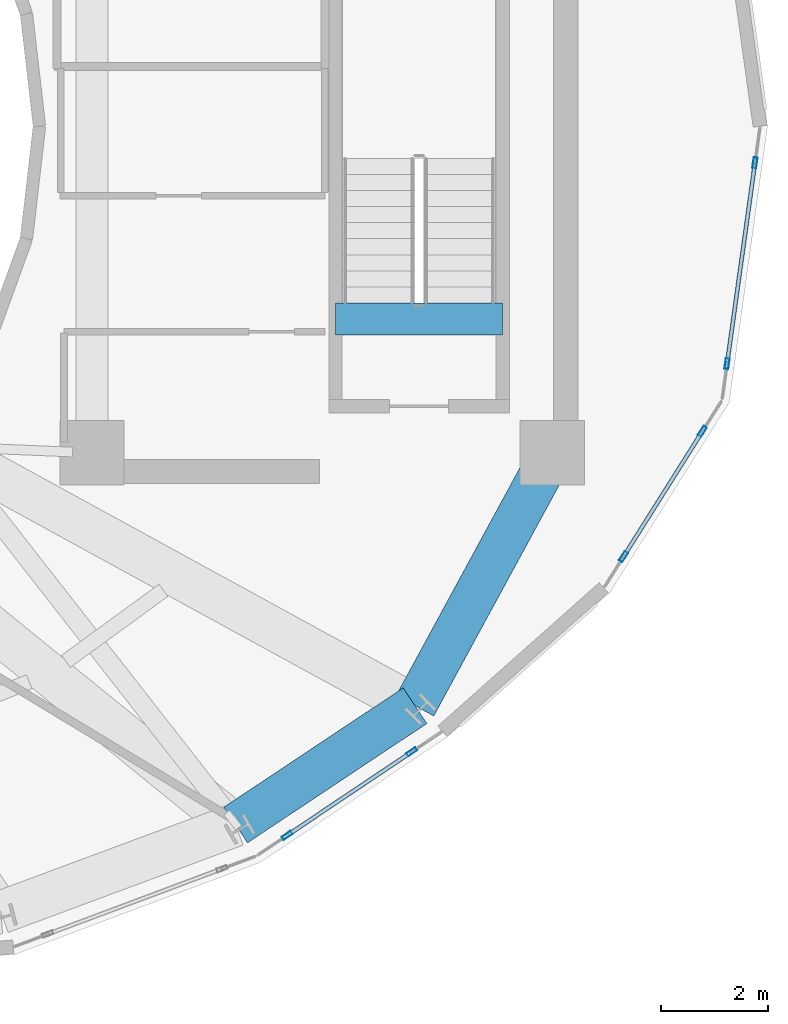
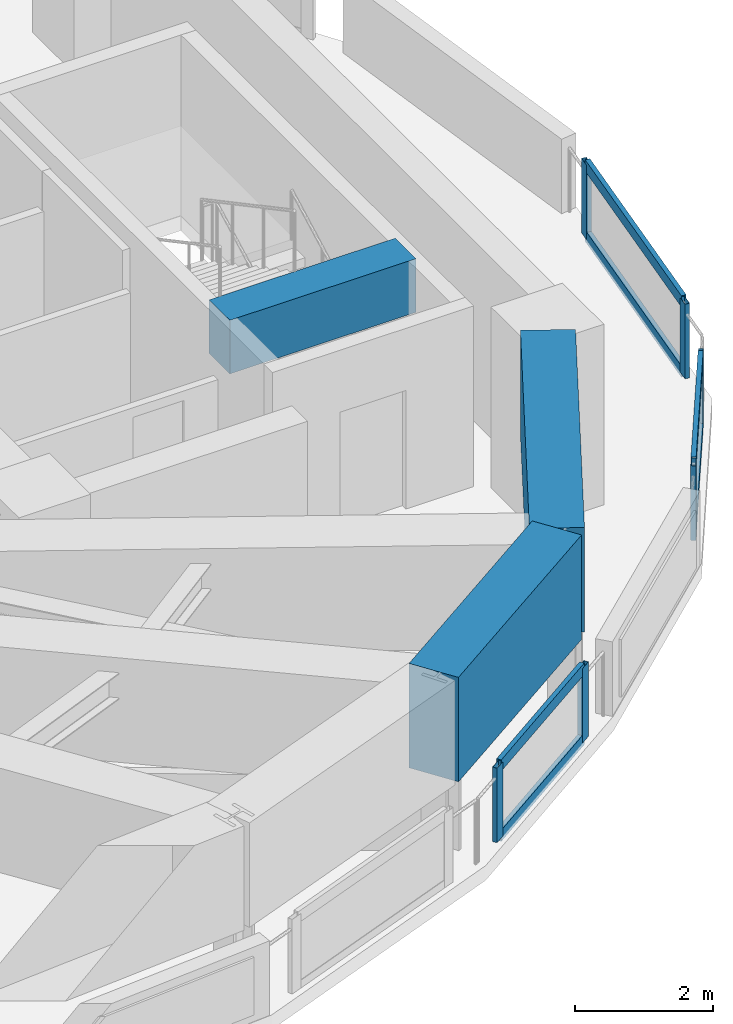
# One storey, part 11 of 18: 12 members, 3 beams, 3 elements without a shape of their own.
"""IFC4 building model written with IfcOpenShell, lengths in metres."""

from ifc_helpers import new_model, si_unit, direction, frame, origin, origin_2d, place, context, subcontext, project, spatial, rectangle, hollow_rectangle, extrude, material, layer, layer_set, material_profile, profile_set, type_object, element, aggregate, save


model = new_model("IFC4")

# Units and contexts
model_context = context("Model", 3, precision=1e-05, world=origin(), true_north=direction((0.0, 1.0)))
body_context = subcontext(model_context, "Body", "Model", "MODEL_VIEW")
ifc_project = project(units=[si_unit("LENGTHUNIT", "METRE"), si_unit("AREAUNIT", "SQUARE_METRE"), si_unit("VOLUMEUNIT", "CUBIC_METRE"), si_unit("PLANEANGLEUNIT", "RADIAN"), si_unit("MASSUNIT", "GRAM", prefix="KILO")], contexts=[model_context])

# Site, building, storey
site_placement = place(None, origin())
site = spatial("IfcSite", under=ifc_project, at=site_placement, CompositionType="ELEMENT")
building_placement = place(site_placement, origin())
building = spatial("IfcBuilding", under=site, at=building_placement, Name="Solvane Sanctuary Tower", CompositionType="ELEMENT")
storey_placement = place(building_placement, frame((0.0, 0.0, 266.800048828125)))
storey = spatial("IfcBuildingStorey", under=building, at=storey_placement, Name="L81", CompositionType="ELEMENT", Elevation=266.800048828125)

# Beams
ifc_material_1 = material(Name="Concrete C70/85", Category="concrete")
ifc_material_profile_1 = material_profile(ifc_material_1, rectangle(XDim=0.60009765625, YDim=0.949951171875, at=origin_2d()), Name="RC600X950")
ifc_profile_set_1 = profile_set([ifc_material_profile_1], Name="Concrete C70/85")
beam_type_1 = type_object("IfcBeamType", Name="Beam B-COUPLE RC600X950", PredefinedType="LINTEL", material=ifc_profile_set_1)
beam_1_placement = place(storey_placement, frame((44.64990234375, 19.399169921875, 2.724853515625), z_axis=(1.0, 0.0, 0.0), x_axis=(0.0, 1.0, 0.0)))
element("IfcBeam", 1, at=beam_1_placement, inside=storey, type_object=beam_type_1, Name="L81 ST-2 Stair Floor Landing Trimmer", PredefinedType="LINTEL", context=body_context, shape_type="SweptSolid", body=[
    extrude(rectangle(XDim=0.60009765625, YDim=0.949951171875, at=origin_2d()), origin(), (0.0, 0.0, 1.0), 3.1201171875),
])
ifc_material_profile_2 = material_profile(ifc_material_1, rectangle(XDim=0.800048828125, YDim=1.85009765625, at=origin_2d()), Name="RC800X1850")
ifc_profile_set_2 = profile_set([ifc_material_profile_2], Name="Concrete C70/85")
beam_type_2 = type_object("IfcBeamType", Name="Beam B-XFER-BLK RC800X1850", PredefinedType="BEAM", material=ifc_profile_set_2)
beam_2_placement = place(storey_placement, frame((42.7841796875, 9.948974609375, 2.27490234375), z_axis=(0.832637946712, 0.55381770439, 0.0), x_axis=(-0.55381770439, 0.832637946712, 0.0)))
element("IfcBeam", 2, at=beam_2_placement, inside=storey, type_object=beam_type_2, Name="L81 Perimeter Step Transfer Ring NTC13-NTC14", PredefinedType="BEAM", context=body_context, shape_type="SweptSolid", body=[
    extrude(rectangle(XDim=0.800048828125, YDim=1.85009765625, at=origin_2d()), origin(), (0.0, 0.0, 1.0), 4.0234375),
])
beam_3_placement = place(storey_placement, frame((46.13427734375, 12.17724609375, 2.27490234375), z_axis=(0.477353990343, 0.878711083294, 0.0), x_axis=(-0.878711083294, 0.477353990343, 0.0)))
element("IfcBeam", 3, at=beam_3_placement, inside=storey, type_object=beam_type_2, Name="L81 Perimeter Step Transfer Ring NTC14-CE2", PredefinedType="BEAM", context=body_context, shape_type="SweptSolid", body=[
    extrude(rectangle(XDim=0.800048828125, YDim=1.85009765625, at=origin_2d()), origin(), (0.0, 0.0, 1.0), 5.0146484375),
])

# Curtain wall, members
ifc_material_2 = material(Name="Anodised Aluminium 6063-T6", Category="aluminium")
ifc_layer = layer(ifc_material_2, 0.219970703125, Name="Anodised Aluminium 6063-T6")
ifc_layer_set = layer_set([ifc_layer], Name="Anodised Aluminium 6063-T6")
curtain_wall_type = type_object("IfcCurtainWallType", Name="Curtain Wall CW-CROWN", PredefinedType="NOTDEFINED", material=ifc_layer_set)
curtain_wall_1_placement = place(storey_placement, origin())
curtain_wall_1 = element("IfcCurtainWall", 4, at=curtain_wall_1_placement, inside=storey, type_object=curtain_wall_type, Name="L81 Crown Fritted Lantern Curtain Wall 20", PredefinedType="NOTDEFINED")
ifc_material_profile_3 = material_profile(ifc_material_2, hollow_rectangle(XDim=0.074951171875, YDim=0.199951171875, WallThickness=0.00390625, at=origin_2d()), Name="ALU200X75X4")
ifc_profile_set_3 = profile_set([ifc_material_profile_3], Name="Anodised Aluminium 6063-T6")
member_type_1 = type_object("IfcMemberType", Name="Member M-CW-MUL-1 ALU200X75X4", PredefinedType="MULLION", material=ifc_profile_set_3)
member_1_placement = place(storey_placement, frame((43.746337890625, 9.755859375, 0.0), z_axis=(0.0, 0.0, 1.0), x_axis=(-0.556718484375, 0.830701227371, 0.0)))
member_1 = element("IfcMember", 5, at=member_1_placement, type_object=member_type_1, Name="CW-CROWN mullion 1", PredefinedType="MULLION", context=body_context, shape_type="SweptSolid", body=[
    extrude(hollow_rectangle(XDim=0.074951171875, YDim=0.199951171875, WallThickness=0.00390625, at=origin_2d()), origin(), (0.0, 0.0, 1.0), 1.320068359375),
])
member_2_placement = place(storey_placement, frame((46.075439453125, 11.31689453125, 0.0), z_axis=(0.0, 0.0, 1.0), x_axis=(-0.556718484375, 0.830701227371, 0.0)))
member_2 = element("IfcMember", 6, at=member_2_placement, type_object=member_type_1, Name="CW-CROWN mullion 2", PredefinedType="MULLION", context=body_context, shape_type="SweptSolid", body=[
    extrude(hollow_rectangle(XDim=0.074951171875, YDim=0.199951171875, WallThickness=0.00390625, at=origin_2d()), origin(), (0.0, 0.0, 1.0), 1.320068359375),
])

curtain_wall_2_placement = place(storey_placement, origin())
curtain_wall_2 = element("IfcCurtainWall", 7, at=curtain_wall_2_placement, inside=storey, type_object=curtain_wall_type, Name="L81 Crown Fritted Lantern Curtain Wall 22", PredefinedType="NOTDEFINED")
member_3_placement = place(storey_placement, frame((50.028564453125, 14.9599609375, 0.0), z_axis=(0.0, 0.0, 1.0), x_axis=(-0.846332102963, 0.532655584308, 0.0)))
member_3 = element("IfcMember", 8, at=member_3_placement, type_object=member_type_1, Name="CW-CROWN mullion 1", PredefinedType="MULLION", context=body_context, shape_type="SweptSolid", body=[
    extrude(hollow_rectangle(XDim=0.074951171875, YDim=0.199951171875, WallThickness=0.00390625, at=origin_2d()), origin(), (0.0, 0.0, 1.0), 1.320068359375),
])
member_4_placement = place(storey_placement, frame((51.502685546875, 17.302490234375, 0.0), z_axis=(0.0, 0.0, 1.0), x_axis=(-0.846332102963, 0.532655584308, 0.0)))
member_4 = element("IfcMember", 9, at=member_4_placement, type_object=member_type_1, Name="CW-CROWN mullion 2", PredefinedType="MULLION", context=body_context, shape_type="SweptSolid", body=[
    extrude(hollow_rectangle(XDim=0.074951171875, YDim=0.199951171875, WallThickness=0.00390625, at=origin_2d()), origin(), (0.0, 0.0, 1.0), 1.320068359375),
])

curtain_wall_3_placement = place(storey_placement, origin())
curtain_wall_3 = element("IfcCurtainWall", 10, at=curtain_wall_3_placement, inside=storey, type_object=curtain_wall_type, Name="L81 Crown Fritted Lantern Curtain Wall 23", PredefinedType="NOTDEFINED")
member_5_placement = place(storey_placement, frame((51.963623046875, 18.565185546875, 0.0), z_axis=(0.0, 0.0, 1.0), x_axis=(-0.990477479591, 0.137674843105, 0.0)))
member_5 = element("IfcMember", 11, at=member_5_placement, type_object=member_type_1, Name="CW-CROWN mullion 1", PredefinedType="MULLION", context=body_context, shape_type="SweptSolid", body=[
    extrude(hollow_rectangle(XDim=0.074951171875, YDim=0.199951171875, WallThickness=0.00390625, at=origin_2d()), origin(), (0.0, 0.0, 1.0), 1.320068359375),
])
member_6_placement = place(storey_placement, frame((52.4853515625, 22.319091796875, 0.0), z_axis=(0.0, 0.0, 1.0), x_axis=(-0.990477479591, 0.137674843105, 0.0)))
member_6 = element("IfcMember", 12, at=member_6_placement, type_object=member_type_1, Name="CW-CROWN mullion 2", PredefinedType="MULLION", context=body_context, shape_type="SweptSolid", body=[
    extrude(hollow_rectangle(XDim=0.074951171875, YDim=0.199951171875, WallThickness=0.00390625, at=origin_2d()), origin(), (0.0, 0.0, 1.0), 1.320068359375),
])

# Member
ifc_material_profile_4 = material_profile(ifc_material_2, hollow_rectangle(XDim=0.074951171875, YDim=0.199951171875, WallThickness=0.00390625, at=origin_2d()), Name="ALU200X75X4")
ifc_profile_set_4 = profile_set([ifc_material_profile_4], Name="Anodised Aluminium 6063-T6")
member_type_2 = type_object("IfcMemberType", Name="Member M-CW-TRN-2 ALU200X75X4", PredefinedType="USERDEFINED", material=ifc_profile_set_4)
member_7_placement = place(storey_placement, frame((43.77734375, 9.77685546875, 0.037353515625), z_axis=(0.830712886533, 0.556701086894, 0.0), x_axis=(-0.556701086894, 0.830712886533, 0.0)))
member_7 = element("IfcMember", 13, at=member_7_placement, type_object=member_type_2, Name="CW-CROWN transom 1.1", ObjectType="TRANSOM", PredefinedType="USERDEFINED", context=body_context, shape_type="SweptSolid", body=[
    extrude(hollow_rectangle(XDim=0.074951171875, YDim=0.199951171875, WallThickness=0.00390625, at=origin_2d()), origin(), (0.0, 0.0, 1.0), 2.72900390625),
])

member_8_placement = place(storey_placement, frame((43.77734375, 9.77685546875, 1.282470703125), z_axis=(0.830712886533, 0.556701086894, 0.0), x_axis=(-0.556701086894, 0.830712886533, 0.0)))
member_8 = element("IfcMember", 14, at=member_8_placement, type_object=member_type_2, Name="CW-CROWN transom 1.2", ObjectType="TRANSOM", PredefinedType="USERDEFINED", context=body_context, shape_type="SweptSolid", body=[
    extrude(hollow_rectangle(XDim=0.074951171875, YDim=0.199951171875, WallThickness=0.00390625, at=origin_2d()), origin(), (0.0, 0.0, 1.0), 2.72900390625),
])

aggregate(curtain_wall_1, [member_1, member_2, member_7, member_8])

member_9_placement = place(storey_placement, frame((50.04833984375, 14.99169921875, 0.037353515625), z_axis=(0.532644935954, 0.846338804618, 0.0), x_axis=(-0.846338804618, 0.532644935954, 0.0)))
member_9 = element("IfcMember", 15, at=member_9_placement, type_object=member_type_2, Name="CW-CROWN transom 1.1", ObjectType="TRANSOM", PredefinedType="USERDEFINED", context=body_context, shape_type="SweptSolid", body=[
    extrude(hollow_rectangle(XDim=0.074951171875, YDim=0.199951171875, WallThickness=0.00390625, at=origin_2d()), origin(), (0.0, 0.0, 1.0), 2.69287109375),
])

member_10_placement = place(storey_placement, frame((50.04833984375, 14.99169921875, 1.282470703125), z_axis=(0.532644935954, 0.846338804618, 0.0), x_axis=(-0.846338804618, 0.532644935954, 0.0)))
member_10 = element("IfcMember", 16, at=member_10_placement, type_object=member_type_2, Name="CW-CROWN transom 1.2", ObjectType="TRANSOM", PredefinedType="USERDEFINED", context=body_context, shape_type="SweptSolid", body=[
    extrude(hollow_rectangle(XDim=0.074951171875, YDim=0.199951171875, WallThickness=0.00390625, at=origin_2d()), origin(), (0.0, 0.0, 1.0), 2.69287109375),
])

aggregate(curtain_wall_2, [member_3, member_4, member_9, member_10])

member_11_placement = place(storey_placement, frame((51.96875, 18.602294921875, 0.037353515625), z_axis=(0.137675824962, 0.990477343113, 0.0), x_axis=(-0.990477343113, 0.137675824962, 0.0)))
member_11 = element("IfcMember", 17, at=member_11_placement, type_object=member_type_2, Name="CW-CROWN transom 1.1", ObjectType="TRANSOM", PredefinedType="USERDEFINED", context=body_context, shape_type="SweptSolid", body=[
    extrude(hollow_rectangle(XDim=0.074951171875, YDim=0.199951171875, WallThickness=0.00390625, at=origin_2d()), origin(), (0.0, 0.0, 1.0), 3.715087890625),
])

member_12_placement = place(storey_placement, frame((51.96875, 18.602294921875, 1.282470703125), z_axis=(0.137675824962, 0.990477343113, 0.0), x_axis=(-0.990477343113, 0.137675824962, 0.0)))
member_12 = element("IfcMember", 18, at=member_12_placement, type_object=member_type_2, Name="CW-CROWN transom 1.2", ObjectType="TRANSOM", PredefinedType="USERDEFINED", context=body_context, shape_type="SweptSolid", body=[
    extrude(hollow_rectangle(XDim=0.074951171875, YDim=0.199951171875, WallThickness=0.00390625, at=origin_2d()), origin(), (0.0, 0.0, 1.0), 3.715087890625),
])

aggregate(curtain_wall_3, [member_5, member_6, member_11, member_12])

save(model, "model.ifc")
